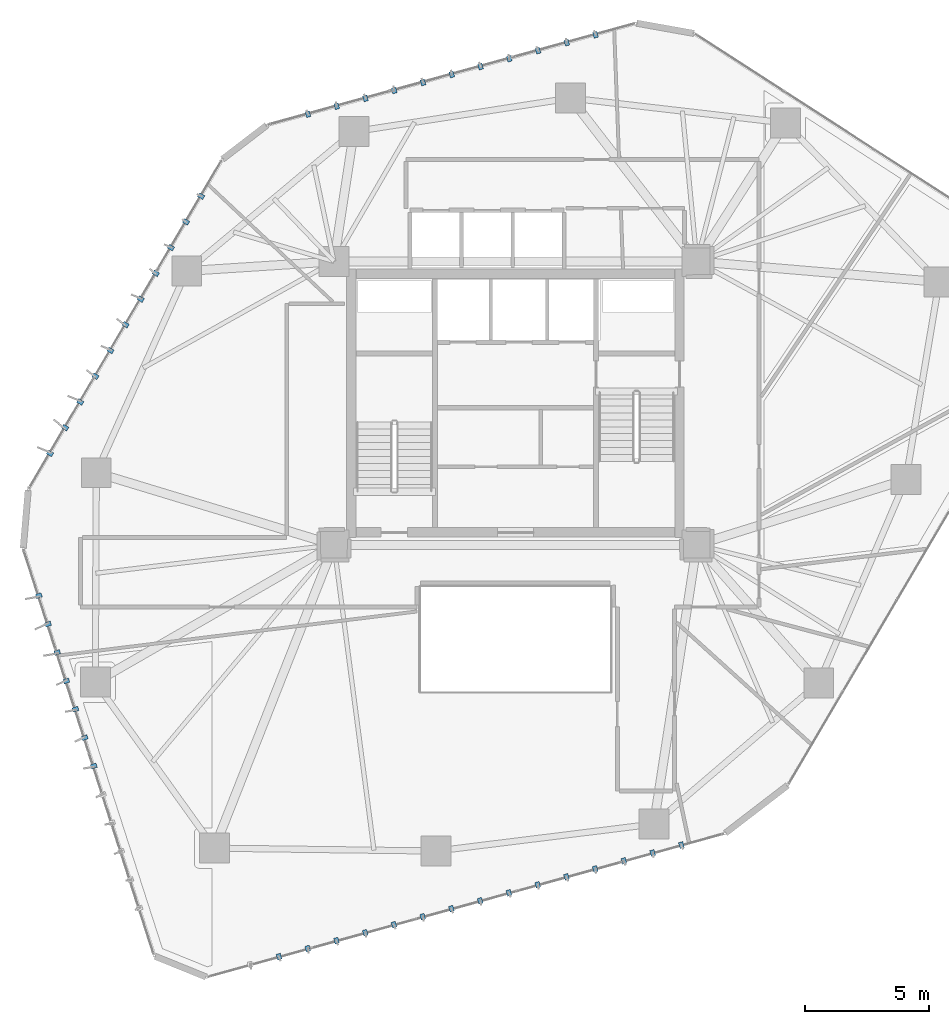
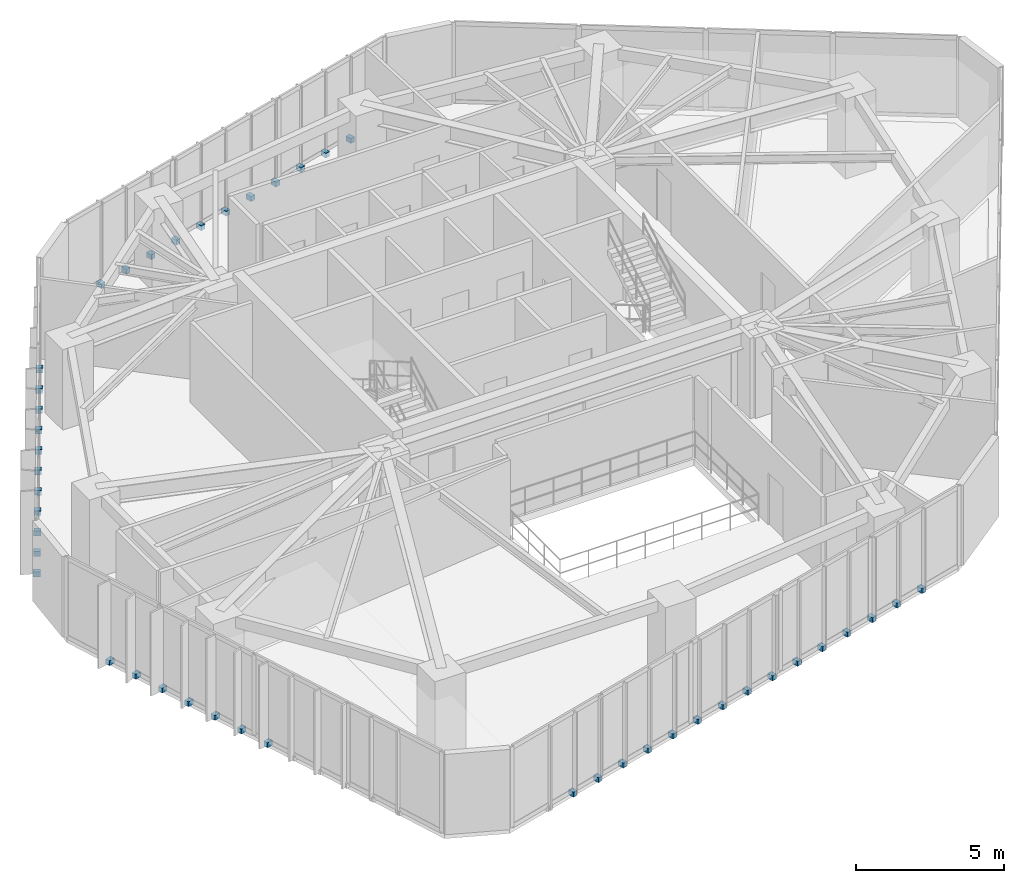
# One storey, part 18 of 20: 44 discrete accessories.
"""IFC4 building model written with IfcOpenShell, lengths in metres."""

from ifc_helpers import new_model, si_unit, direction, frame, origin, origin_2d, place, context, subcontext, project, spatial, rectangle, extrude, source, transform, mapped, material, type_object, type_shapes, element, save


model = new_model("IFC4")

# Units and contexts
model_context = context("Model", 3, precision=1e-05, world=origin(), true_north=direction((0.0, 1.0)))
body_context = subcontext(model_context, "Body", "Model", "MODEL_VIEW")
ifc_project = project(units=[si_unit("LENGTHUNIT", "METRE"), si_unit("AREAUNIT", "SQUARE_METRE"), si_unit("VOLUMEUNIT", "CUBIC_METRE"), si_unit("PLANEANGLEUNIT", "RADIAN"), si_unit("MASSUNIT", "GRAM", prefix="KILO")], contexts=[model_context])

# Site, building, storey
site_placement = place(None, origin())
site = spatial("IfcSite", under=ifc_project, at=site_placement, CompositionType="ELEMENT")
building_placement = place(site_placement, origin())
building = spatial("IfcBuilding", under=site, at=building_placement, Name="Talar Marvaseh", CompositionType="ELEMENT")
storey_placement = place(building_placement, frame((0.0, 0.0, 136.199951171875)))
storey = spatial("IfcBuildingStorey", under=building, at=storey_placement, Name="L35", CompositionType="ELEMENT", Elevation=136.199951171875)

# Discrete accessories
ifc_material = material(Name="Stainless Steel Grade 316", Category="steel")
discrete_accessory_type = type_object("IfcDiscreteAccessoryType", Name="Stainless Slab-Edge Fin Mounting Bracket", PredefinedType="BRACKET", material=ifc_material)
shared_shape = source(origin(), body_context, "Body", "SweptSolid", [
    extrude(rectangle(XDim=0.239990234375, YDim=0.179931640625, at=origin_2d()), origin(), (0.0, 0.0, 1.0), 0.199951171875),
])
type_shapes(discrete_accessory_type, [shared_shape])
for number, where, z_axis, x_axis, name in (
    (1, (9.03662109375, 16.60009765625, -0.1796875), (0.0, 0.0, 1.0), (-0.951862260753, -0.306526078098, 0.0), "L35 Vertical Fin Slab-Edge Bracket"),
    (2, (8.6689453125, 17.742431640625, -0.1796875), (0.0, 0.0, 1.0), (-0.951862260753, -0.306526078098, 0.0), "L35 Vertical Fin Slab-Edge Bracket"),
    (3, (8.30126953125, 18.884521484375, -0.1796875), (0.0, 0.0, 1.0), (-0.951862260753, -0.306526078098, 0.0), "L35 Vertical Fin Slab-Edge Bracket"),
    (4, (7.933349609375, 20.02685546875, -0.1796875), (0.0, 0.0, 1.0), (-0.951862260753, -0.306526078098, 0.0), "L35 Vertical Fin Slab-Edge Bracket"),
    (5, (7.565673828125, 21.169189453125, -0.1796875), (0.0, 0.0, 1.0), (-0.951862260753, -0.306526078098, 0.0), "L35 Vertical Fin Slab-Edge Bracket"),
    (6, (7.197998046875, 22.311279296875, -0.1796875), (0.0, 0.0, 1.0), (-0.951862260753, -0.306526078098, 0.0), "L35 Vertical Fin Slab-Edge Bracket"),
    (7, (6.830078125, 23.45361328125, -0.1796875), (0.0, 0.0, 1.0), (-0.951862260753, -0.306526078098, 0.0), "L35 Vertical Fin Slab-Edge Bracket"),
    (8, (7.279541015625, 29.1796875, -0.1796875), (0.0, 0.0, 1.0), (-0.862248592329, 0.506485305836, 0.0), "L35 Vertical Fin Slab-Edge Bracket"),
    (9, (7.887451171875, 30.214599609375, -0.1796875), (0.0, 0.0, 1.0), (-0.862248592329, 0.506485305836, 0.0), "L35 Vertical Fin Slab-Edge Bracket"),
    (10, (8.4951171875, 31.249267578125, -0.1796875), (0.0, 0.0, 1.0), (-0.862248592329, 0.506485305836, 0.0), "L35 Vertical Fin Slab-Edge Bracket"),
    (11, (9.10302734375, 32.283935546875, -0.1796875), (0.0, 0.0, 1.0), (-0.862248592329, 0.506485305836, 0.0), "L35 Vertical Fin Slab-Edge Bracket"),
    (12, (9.710693359375, 33.318603515625, -0.1796875), (0.0, 0.0, 1.0), (-0.862248592329, 0.506485305836, 0.0), "L35 Vertical Fin Slab-Edge Bracket"),
    (13, (10.318603515625, 34.353271484375, -0.1796875), (0.0, 0.0, 1.0), (-0.862248592329, 0.506485305836, 0.0), "L35 Vertical Fin Slab-Edge Bracket"),
    (14, (10.926513671875, 35.387939453125, -0.1796875), (0.0, 0.0, 1.0), (-0.862248592329, 0.506485305836, 0.0), "L35 Vertical Fin Slab-Edge Bracket"),
    (15, (11.5341796875, 36.422607421875, -0.1796875), (0.0, 0.0, 1.0), (-0.862248592329, 0.506485305836, 0.0), "L35 Vertical Fin Slab-Edge Bracket"),
    (16, (12.14208984375, 37.457275390625, -0.1796875), (0.0, 0.0, 1.0), (-0.862248592329, 0.506485305836, 0.0), "L35 Vertical Fin Slab-Edge Bracket"),
    (17, (12.75, 38.491943359375, -0.1796875), (0.0, 0.0, 1.0), (-0.862248592329, 0.506485305836, 0.0), "L35 Vertical Fin Slab-Edge Bracket"),
    (18, (13.357666015625, 39.526611328125, -0.1796875), (0.0, 0.0, 1.0), (-0.862248592329, 0.506485305836, 0.0), "L35 Vertical Fin Slab-Edge Bracket"),
    (19, (17.6552734375, 42.82421875, -0.1796875), (0.0, 0.0, 1.0), (-0.266060880235, 0.963956227226, 0.0), "L35 Vertical Fin Slab-Edge Bracket"),
    (20, (18.81201171875, 43.1435546875, -0.1796875), (0.0, 0.0, 1.0), (-0.266060880235, 0.963956227226, 0.0), "L35 Vertical Fin Slab-Edge Bracket"),
    (21, (19.96875, 43.462890625, -0.1796875), (0.0, 0.0, 1.0), (-0.266060880235, 0.963956227226, 0.0), "L35 Vertical Fin Slab-Edge Bracket"),
    (22, (21.12548828125, 43.781982421875, -0.1796875), (0.0, 0.0, 1.0), (-0.266060880235, 0.963956227226, 0.0), "L35 Vertical Fin Slab-Edge Bracket"),
    (23, (22.2822265625, 44.101318359375, -0.1796875), (0.0, 0.0, 1.0), (-0.266060880235, 0.963956227226, 0.0), "L35 Vertical Fin Slab-Edge Bracket"),
    (24, (23.43896484375, 44.4208984375, -0.1796875), (0.0, 0.0, 1.0), (-0.266060880235, 0.963956227226, 0.0), "L35 Vertical Fin Slab-Edge Bracket"),
    (25, (24.595703125, 44.739990234375, -0.1796875), (0.0, 0.0, 1.0), (-0.266060880235, 0.963956227226, 0.0), "L35 Vertical Fin Slab-Edge Bracket"),
    (26, (25.75244140625, 45.059326171875, -0.1796875), (0.0, 0.0, 1.0), (-0.266060880235, 0.963956227226, 0.0), "L35 Vertical Fin Slab-Edge Bracket"),
    (27, (26.9091796875, 45.378662109375, -0.1796875), (0.0, 0.0, 1.0), (-0.266060880235, 0.963956227226, 0.0), "L35 Vertical Fin Slab-Edge Bracket"),
    (28, (28.06591796875, 45.697998046875, -0.1796875), (0.0, 0.0, 1.0), (-0.266060880235, 0.963956227226, 0.0), "L35 Vertical Fin Slab-Edge Bracket"),
    (29, (29.22265625, 46.017333984375, -0.1796875), (0.0, 0.0, 1.0), (-0.266060880235, 0.963956227226, 0.0), "L35 Vertical Fin Slab-Edge Bracket"),
    (30, (32.677490234375, 13.426513671875, -0.1796875), (0.0, 0.0, 1.0), (0.267406557249, -0.963583796636, 0.0), "L35 Vertical Fin Slab-Edge Bracket"),
    (31, (31.521240234375, 13.10546875, -0.1796875), (0.0, 0.0, 1.0), (0.267406557249, -0.963583796636, 0.0), "L35 Vertical Fin Slab-Edge Bracket"),
    (32, (30.364990234375, 12.78466796875, -0.1796875), (0.0, 0.0, 1.0), (0.267406557249, -0.963583796636, 0.0), "L35 Vertical Fin Slab-Edge Bracket"),
    (33, (29.20849609375, 12.4638671875, -0.1796875), (0.0, 0.0, 1.0), (0.267406557249, -0.963583796636, 0.0), "L35 Vertical Fin Slab-Edge Bracket"),
    (34, (28.05224609375, 12.142822265625, -0.1796875), (0.0, 0.0, 1.0), (0.267406557249, -0.963583796636, 0.0), "L35 Vertical Fin Slab-Edge Bracket"),
    (35, (26.89599609375, 11.822021484375, -0.1796875), (0.0, 0.0, 1.0), (0.267406557249, -0.963583796636, 0.0), "L35 Vertical Fin Slab-Edge Bracket"),
    (36, (25.73974609375, 11.501220703125, -0.1796875), (0.0, 0.0, 1.0), (0.267406557249, -0.963583796636, 0.0), "L35 Vertical Fin Slab-Edge Bracket"),
    (37, (24.58349609375, 11.180419921875, -0.1796875), (0.0, 0.0, 1.0), (0.267406557249, -0.963583796636, 0.0), "L35 Vertical Fin Slab-Edge Bracket"),
    (38, (23.427001953125, 10.859619140625, -0.1796875), (0.0, 0.0, 1.0), (0.267406557249, -0.963583796636, 0.0), "L35 Vertical Fin Slab-Edge Bracket"),
    (39, (22.270751953125, 10.53857421875, -0.1796875), (0.0, 0.0, 1.0), (0.267406557249, -0.963583796636, 0.0), "L35 Vertical Fin Slab-Edge Bracket"),
    (40, (21.114501953125, 10.2177734375, -0.1796875), (0.0, 0.0, 1.0), (0.267406557249, -0.963583796636, 0.0), "L35 Vertical Fin Slab-Edge Bracket"),
    (41, (19.958251953125, 9.89697265625, -0.1796875), (0.0, 0.0, 1.0), (0.267406557249, -0.963583796636, 0.0), "L35 Vertical Fin Slab-Edge Bracket"),
    (42, (18.802001953125, 9.575927734375, -0.1796875), (0.0, 0.0, 1.0), (0.267406557249, -0.963583796636, 0.0), "L35 Vertical Fin Slab-Edge Bracket"),
    (43, (17.6455078125, 9.255126953125, -0.1796875), (0.0, 0.0, 1.0), (0.267406557249, -0.963583796636, 0.0), "L35 Vertical Fin Slab-Edge Bracket"),
    (44, (16.4892578125, 8.934326171875, -0.1796875), (0.0, 0.0, 1.0), (0.267406557249, -0.963583796636, 0.0), "L35 Vertical Fin Slab-Edge Bracket"),
):
    element("IfcDiscreteAccessory", number, at=place(storey_placement, frame(where, z_axis=z_axis, x_axis=x_axis)), inside=storey, type_object=discrete_accessory_type, Name=name, PredefinedType="BRACKET", context=body_context, shape_type="MappedRepresentation", body=[
        mapped(shared_shape, transform((0.0, 0.0, 0.0), x_axis=(1.0, 0.0, 0.0), y_axis=(0.0, 1.0, 0.0), z_axis=(0.0, 0.0, 1.0), scale=1.0)),
    ])

save(model, "model.ifc")
